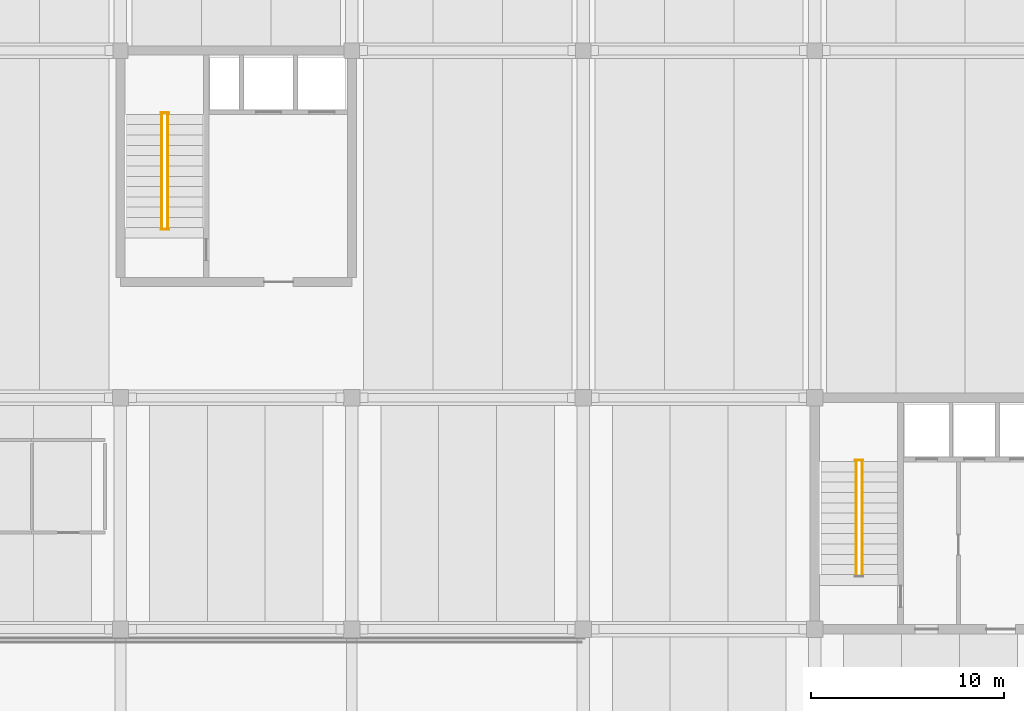
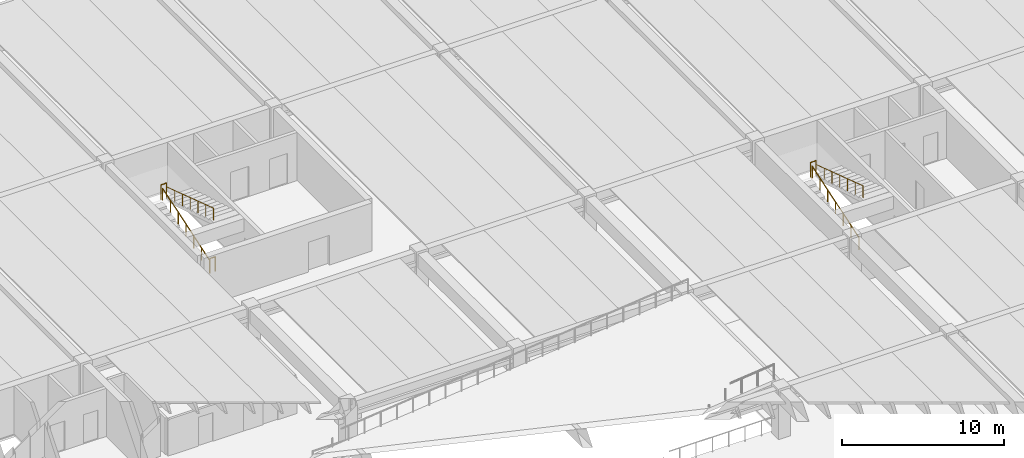
# One storey, part 14 of 14: 7 railings.
"""IFC4 building model written with IfcOpenShell, lengths in metres."""

from ifc_helpers import new_model, si_unit, direction, frame, origin, origin_2d, place, context, subcontext, project, spatial, circle, extrude, material, layer, layer_set, type_object, element, save


model = new_model("IFC4")

# Units and contexts
model_context = context("Model", 3, precision=1e-05, world=origin(), true_north=direction((0.0, 1.0)))
body_context = subcontext(model_context, "Body", "Model", "MODEL_VIEW")
ifc_project = project(units=[si_unit("LENGTHUNIT", "METRE"), si_unit("AREAUNIT", "SQUARE_METRE"), si_unit("VOLUMEUNIT", "CUBIC_METRE"), si_unit("PLANEANGLEUNIT", "RADIAN"), si_unit("MASSUNIT", "GRAM", prefix="KILO")], contexts=[model_context])

# Site, building, storey
site_placement = place(None, origin())
site = spatial("IfcSite", under=ifc_project, at=site_placement, CompositionType="ELEMENT")
building_placement = place(site_placement, origin())
building = spatial("IfcBuilding", under=site, at=building_placement, Name="Girod Span Mobility Hub", CompositionType="ELEMENT")
storey_placement = place(building_placement, frame((0.0, 0.0, 24.800048828125)))
storey = spatial("IfcBuildingStorey", under=building, at=storey_placement, Name="L06", CompositionType="ELEMENT", Elevation=24.800048828125)

# Railings
ifc_material_1 = material(Name="Painted Galvanised Steel", Category="steel")
ifc_layer_1 = layer(ifc_material_1, 0.06494140625)
ifc_layer_set_1 = layer_set([ifc_layer_1], Name="Painted Galvanised Steel")
railing_type_1 = type_object("IfcRailingType", Name="RL-GRD-1120", PredefinedType="GUARDRAIL", material=ifc_layer_set_1)
for number, where, name in (
    (1, (110.10009765625, 65.77001953125, 1.89990234375), "Stair ST-2 Half-Landing Well Guard L06"),
    (2, (74.10009765625, 83.77001953125, 1.89990234375), "Stair ST-4 Half-Landing Well Guard L06"),
    (3, (74.10009765625, 77.72998046875, 0.0), "Stair ST-4 Landing Well Guard L06"),
):
    element("IfcRailing", number, at=place(storey_placement, frame(where)), inside=storey, type_object=railing_type_1, Name=name, PredefinedType="GUARDRAIL", context=body_context, shape_type="SweptSolid", body=[
        extrude(circle(Radius=0.02392578125, at=origin_2d()), frame((0.0, 0.0, 1.09619140625), z_axis=(1.0, 0.0, 0.0), x_axis=(0.0, 1.0, 0.0)), (0.0, 0.0, 1.0), 0.39990234375),
        extrude(circle(Radius=0.02099609375, at=origin_2d()), origin(), (0.0, 0.0, 1.0), 1.072021484375),
        extrude(circle(Radius=0.02099609375, at=origin_2d()), frame((0.39990234375, 0.0, 0.0)), (0.0, 0.0, 1.0), 1.072021484375),
    ])
ifc_material_2 = material(Name="Painted Galvanised Steel", Category="steel")
ifc_layer_2 = layer(ifc_material_2, 0.050048828125)
ifc_layer_set_2 = layer_set([ifc_layer_2], Name="Painted Galvanised Steel")
railing_type_2 = type_object("IfcRailingType", Name="RL-HR-920", PredefinedType="HANDRAIL", material=ifc_layer_set_2)
railing_1_placement = place(storey_placement, frame((110.14990234375, 59.860107421875, 0.0)))
element("IfcRailing", 4, at=railing_1_placement, inside=storey, type_object=railing_type_2, Name="Stair ST-2 Flight 1 Handrail L06", PredefinedType="HANDRAIL", context=body_context, shape_type="SweptSolid", body=[
    extrude(circle(Radius=0.02392578125, at=origin_2d()), frame((0.0, 0.0, 0.89599609375), z_axis=(0.0, 0.949991280403, 0.312276427477), x_axis=(-1.0, 0.0, 0.0)), (0.0, 0.0, 1.0), 6.083984375),
    extrude(circle(Radius=0.02099609375, at=origin_2d()), origin(), (0.0, 0.0, 1.0), 0.871826171875),
    extrude(circle(Radius=0.02099609375, at=origin_2d()), frame((0.0, 0.96337890625, 0.316650390625)), (0.0, 0.0, 1.0), 0.871826171875),
    extrude(circle(Radius=0.02099609375, at=origin_2d()), frame((0.0, 1.926513671875, 0.63330078125)), (0.0, 0.0, 1.0), 0.871826171875),
    extrude(circle(Radius=0.02099609375, at=origin_2d()), frame((0.0, 2.889892578125, 0.949951171875)), (0.0, 0.0, 1.0), 0.871826171875),
    extrude(circle(Radius=0.02099609375, at=origin_2d()), frame((0.0, 3.853271484375, 1.2666015625)), (0.0, 0.0, 1.0), 0.871826171875),
    extrude(circle(Radius=0.02099609375, at=origin_2d()), frame((0.0, 4.81640625, 1.583251953125)), (0.0, 0.0, 1.0), 0.871826171875),
    extrude(circle(Radius=0.02099609375, at=origin_2d()), frame((0.0, 5.77978515625, 1.89990234375)), (0.0, 0.0, 1.0), 0.871826171875),
])
railing_2_placement = place(storey_placement, frame((110.449951171875, 65.639892578125, 1.89990234375)))
element("IfcRailing", 5, at=railing_2_placement, inside=storey, type_object=railing_type_2, Name="Stair ST-2 Flight 2 Handrail L06", PredefinedType="HANDRAIL", context=body_context, shape_type="SweptSolid", body=[
    extrude(circle(Radius=0.02392578125, at=origin_2d()), frame((0.0, 0.0, 0.89599609375), z_axis=(0.0, -0.949979375482, 0.31231264169), x_axis=(1.0, 0.0, 0.0)), (0.0, 0.0, 1.0), 6.084228515625),
    extrude(circle(Radius=0.02099609375, at=origin_2d()), origin(), (0.0, 0.0, 1.0), 0.871826171875),
    extrude(circle(Radius=0.02099609375, at=origin_2d()), frame((0.0, -0.96337890625, 0.316650390625)), (0.0, 0.0, 1.0), 0.871826171875),
    extrude(circle(Radius=0.02099609375, at=origin_2d()), frame((0.0, -1.926513671875, 0.63330078125)), (0.0, 0.0, 1.0), 0.871826171875),
    extrude(circle(Radius=0.02099609375, at=origin_2d()), frame((0.0, -2.889892578125, 0.9501953125)), (0.0, 0.0, 1.0), 0.871826171875),
    extrude(circle(Radius=0.02099609375, at=origin_2d()), frame((0.0, -3.853271484375, 1.266845703125)), (0.0, 0.0, 1.0), 0.871826171875),
    extrude(circle(Radius=0.02099609375, at=origin_2d()), frame((0.0, -4.81640625, 1.58349609375)), (0.0, 0.0, 1.0), 0.871826171875),
    extrude(circle(Radius=0.02099609375, at=origin_2d()), frame((0.0, -5.77978515625, 1.900146484375)), (0.0, 0.0, 1.0), 0.871826171875),
])
railing_3_placement = place(storey_placement, frame((74.14990234375, 77.860107421875, 0.0)))
element("IfcRailing", 6, at=railing_3_placement, inside=storey, type_object=railing_type_2, Name="Stair ST-4 Flight 1 Handrail L06", PredefinedType="HANDRAIL", context=body_context, shape_type="SweptSolid", body=[
    extrude(circle(Radius=0.02392578125, at=origin_2d()), frame((0.0, 0.0, 0.89599609375), z_axis=(0.0, 0.949991280403, 0.312276427477), x_axis=(-1.0, 0.0, 0.0)), (0.0, 0.0, 1.0), 6.083984375),
    extrude(circle(Radius=0.02099609375, at=origin_2d()), origin(), (0.0, 0.0, 1.0), 0.871826171875),
    extrude(circle(Radius=0.02099609375, at=origin_2d()), frame((0.0, 0.96337890625, 0.316650390625)), (0.0, 0.0, 1.0), 0.871826171875),
    extrude(circle(Radius=0.02099609375, at=origin_2d()), frame((0.0, 1.926513671875, 0.63330078125)), (0.0, 0.0, 1.0), 0.871826171875),
    extrude(circle(Radius=0.02099609375, at=origin_2d()), frame((0.0, 2.889892578125, 0.949951171875)), (0.0, 0.0, 1.0), 0.871826171875),
    extrude(circle(Radius=0.02099609375, at=origin_2d()), frame((0.0, 3.853271484375, 1.2666015625)), (0.0, 0.0, 1.0), 0.871826171875),
    extrude(circle(Radius=0.02099609375, at=origin_2d()), frame((0.0, 4.81640625, 1.583251953125)), (0.0, 0.0, 1.0), 0.871826171875),
    extrude(circle(Radius=0.02099609375, at=origin_2d()), frame((0.0, 5.77978515625, 1.89990234375)), (0.0, 0.0, 1.0), 0.871826171875),
])
railing_4_placement = place(storey_placement, frame((74.449951171875, 83.639892578125, 1.89990234375)))
element("IfcRailing", 7, at=railing_4_placement, inside=storey, type_object=railing_type_2, Name="Stair ST-4 Flight 2 Handrail L06", PredefinedType="HANDRAIL", context=body_context, shape_type="SweptSolid", body=[
    extrude(circle(Radius=0.02392578125, at=origin_2d()), frame((0.0, 0.0, 0.89599609375), z_axis=(0.0, -0.949979375482, 0.31231264169), x_axis=(1.0, 0.0, 0.0)), (0.0, 0.0, 1.0), 6.084228515625),
    extrude(circle(Radius=0.02099609375, at=origin_2d()), origin(), (0.0, 0.0, 1.0), 0.871826171875),
    extrude(circle(Radius=0.02099609375, at=origin_2d()), frame((0.0, -0.96337890625, 0.316650390625)), (0.0, 0.0, 1.0), 0.871826171875),
    extrude(circle(Radius=0.02099609375, at=origin_2d()), frame((0.0, -1.926513671875, 0.63330078125)), (0.0, 0.0, 1.0), 0.871826171875),
    extrude(circle(Radius=0.02099609375, at=origin_2d()), frame((0.0, -2.889892578125, 0.9501953125)), (0.0, 0.0, 1.0), 0.871826171875),
    extrude(circle(Radius=0.02099609375, at=origin_2d()), frame((0.0, -3.853271484375, 1.266845703125)), (0.0, 0.0, 1.0), 0.871826171875),
    extrude(circle(Radius=0.02099609375, at=origin_2d()), frame((0.0, -4.81640625, 1.58349609375)), (0.0, 0.0, 1.0), 0.871826171875),
    extrude(circle(Radius=0.02099609375, at=origin_2d()), frame((0.0, -5.77978515625, 1.900146484375)), (0.0, 0.0, 1.0), 0.871826171875),
])

save(model, "model.ifc")
